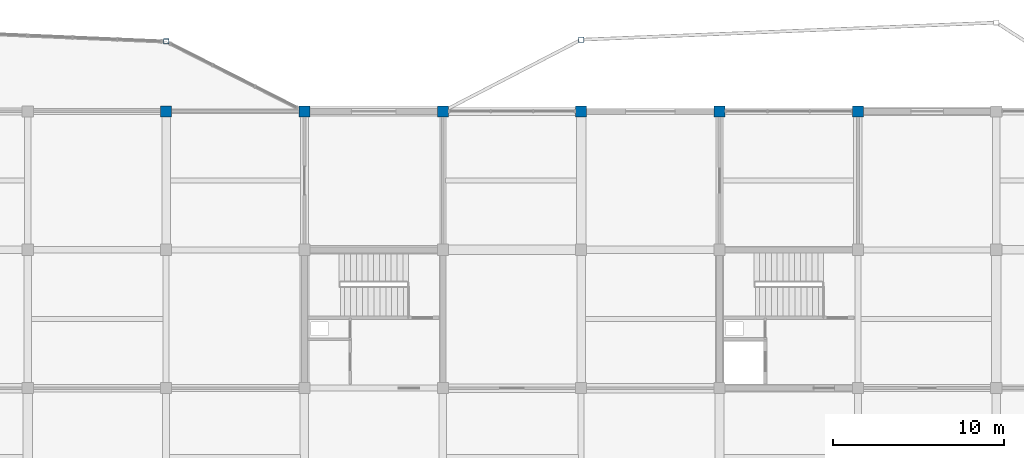
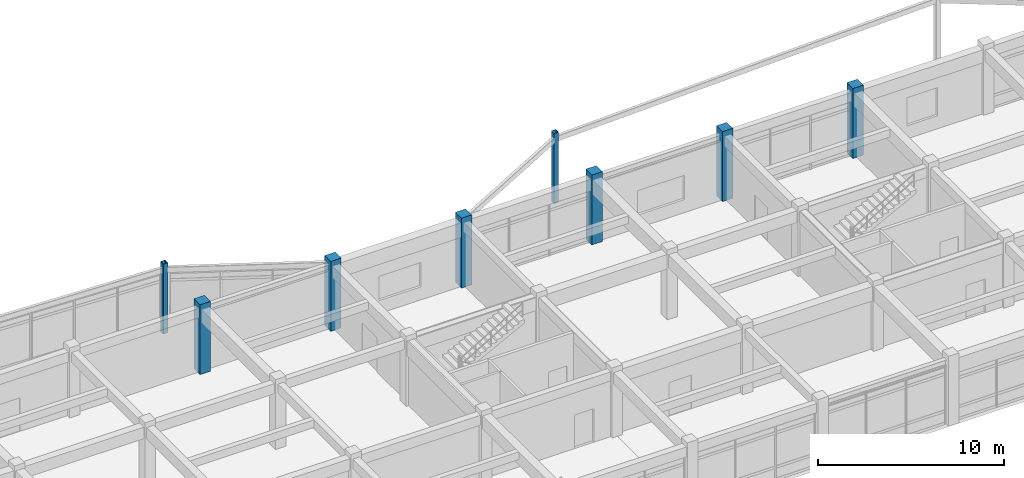
# One storey, part 15 of 93: 8 columns.
"""IFC4 building model written with IfcOpenShell, lengths in metres."""

from ifc_helpers import new_model, si_unit, direction, frame, origin, origin_2d, place, context, subcontext, project, spatial, rectangle, hollow_rectangle, extrude, material, material_profile, profile_set, type_object, element, save


model = new_model("IFC4")

# Units and contexts
model_context = context("Model", 3, precision=1e-05, world=origin(), true_north=direction((0.0, 1.0)))
body_context = subcontext(model_context, "Body", "Model", "MODEL_VIEW")
ifc_project = project(units=[si_unit("LENGTHUNIT", "METRE"), si_unit("AREAUNIT", "SQUARE_METRE"), si_unit("VOLUMEUNIT", "CUBIC_METRE"), si_unit("PLANEANGLEUNIT", "RADIAN"), si_unit("MASSUNIT", "GRAM", prefix="KILO")], contexts=[model_context])

# Site, building, storey
site_placement = place(None, origin())
site = spatial("IfcSite", under=ifc_project, at=site_placement, CompositionType="ELEMENT")
building_placement = place(site_placement, origin())
building = spatial("IfcBuilding", under=site, at=building_placement, Name="Vaudrelin Polytechnic", CompositionType="ELEMENT")
storey_placement = place(building_placement, frame((0.0, 0.0, 5.10009765625)))
storey = spatial("IfcBuildingStorey", under=building, at=storey_placement, Name="L01", CompositionType="ELEMENT", Elevation=5.10009765625)

# Columns
ifc_material_1 = material(Name="Steel CSA G40.21 350WT", Category="steel")
ifc_material_profile_1 = material_profile(ifc_material_1, hollow_rectangle(XDim=0.304931640625, YDim=0.304931640625, WallThickness=0.0126953125, InnerFilletRadius=0.0126953125, OuterFilletRadius=0.025390625, at=origin_2d()), Name="HSS305x305x12.7")
ifc_profile_set_1 = profile_set([ifc_material_profile_1], Name="Steel CSA G40.21 350WT")
column_type_1 = type_object("IfcColumnType", Name="COL-C-HSS305", PredefinedType="COLUMN", material=ifc_profile_set_1)
for number, where, z_axis, x_axis, name in (
    (1, (48.60009765625, 125.60009765625, 0.0), (0.0, 0.0, 1.0), (1.0, 0.0, 0.0), "Deconstructivist column L01 N_OR1_2"),
    (2, (72.89990234375, 125.699951171875, 0.0), (0.0, 0.0, 1.0), (1.0, 0.0, 0.0), "Deconstructivist column L01 N_OR2_1"),
):
    element("IfcColumn", number, at=place(storey_placement, frame(where, z_axis=z_axis, x_axis=x_axis)), inside=storey, type_object=column_type_1, Name=name, PredefinedType="COLUMN", context=body_context, shape_type="SweptSolid", body=[
        extrude(hollow_rectangle(XDim=0.304931640625, YDim=0.304931640625, WallThickness=0.0126953125, InnerFilletRadius=0.0126953125, OuterFilletRadius=0.025390625, at=origin_2d()), origin(), (0.0, 0.0, 1.0), 4.58984375),
    ])
ifc_material_2 = material(Name="Concrete 40 MPa", Category="concrete")
ifc_material_profile_2 = material_profile(ifc_material_2, rectangle(XDim=0.64990234375, YDim=0.64990234375, at=origin_2d()), Name="RC650x650")
ifc_profile_set_2 = profile_set([ifc_material_profile_2], Name="Concrete 40 MPa")
column_type_2 = type_object("IfcColumnType", Name="COL-C-RC650", PredefinedType="COLUMN", material=ifc_profile_set_2)
for number, where, z_axis, x_axis, name in (
    (3, (48.60009765625, 121.5, 0.0), (0.0, 0.0, 1.0), (1.0, 0.0, 0.0), "Column L01 7-16"),
    (4, (56.699951171875, 121.5, 0.0), (0.0, 0.0, 1.0), (1.0, 0.0, 0.0), "Column L01 8-16"),
    (5, (64.800048828125, 121.5, 0.0), (0.0, 0.0, 1.0), (1.0, 0.0, 0.0), "Column L01 9-16"),
    (6, (72.89990234375, 121.5, 0.0), (0.0, 0.0, 1.0), (1.0, 0.0, 0.0), "Column L01 10-16"),
    (7, (81.0, 121.5, 0.0), (0.0, 0.0, 1.0), (1.0, 0.0, 0.0), "Column L01 11-16"),
    (8, (89.10009765625, 121.5, 0.0), (0.0, 0.0, 1.0), (1.0, 0.0, 0.0), "Column L01 12-16"),
):
    element("IfcColumn", number, at=place(storey_placement, frame(where, z_axis=z_axis, x_axis=x_axis)), inside=storey, type_object=column_type_2, Name=name, PredefinedType="COLUMN", context=body_context, shape_type="SweptSolid", body=[
        extrude(rectangle(XDim=0.64990234375, YDim=0.64990234375, at=origin_2d()), origin(), (0.0, 0.0, 1.0), 4.58984375),
    ])

save(model, "model.ifc")
